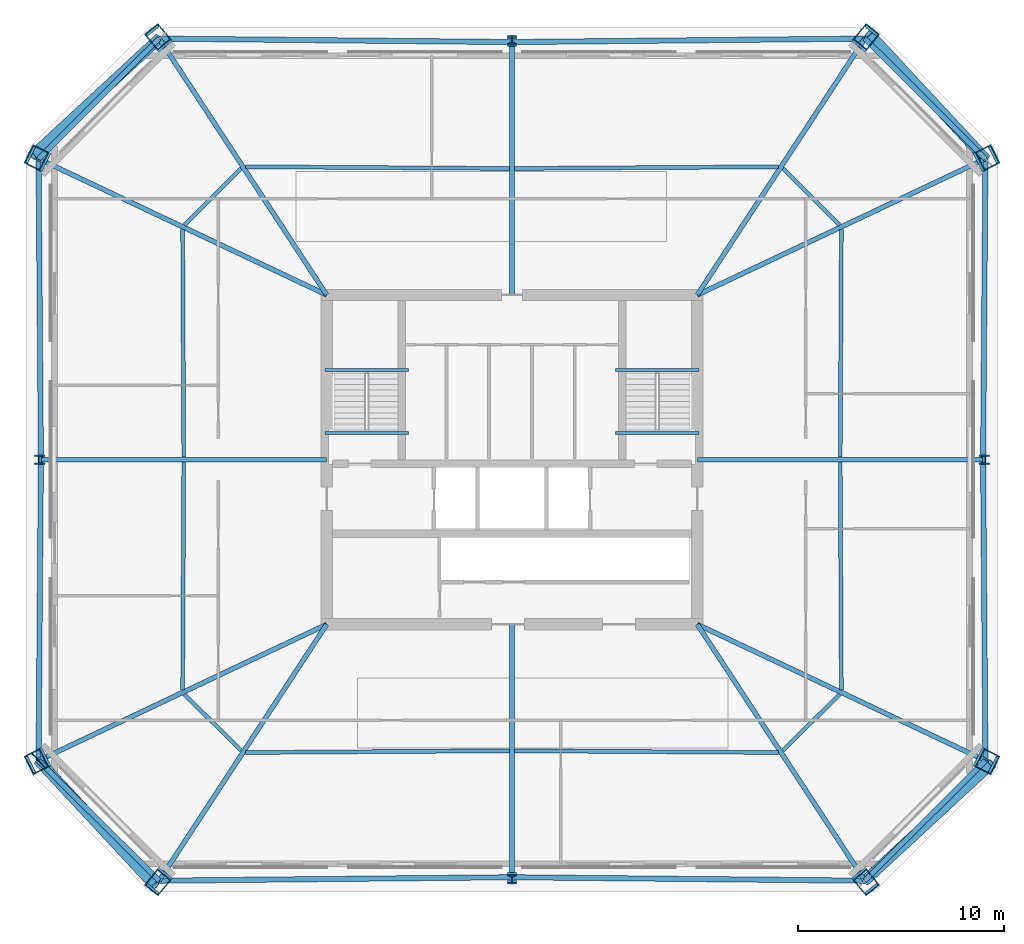
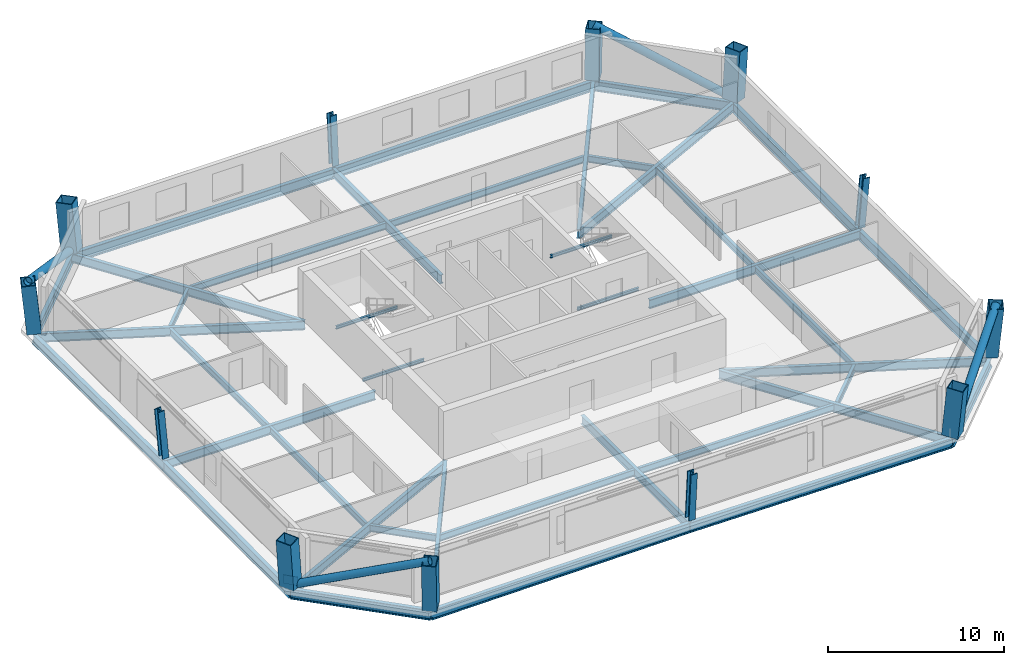
# One storey, part 1 of 7: 40 beams, 12 columns, 4 members, 1 plate.
"""IFC4 building model written with IfcOpenShell, lengths in metres."""

from ifc_helpers import new_model, si_unit, direction, frame, origin, origin_2d, place, context, subcontext, project, spatial, rectangle, hollow_rectangle, hollow_circle, i_section, extrude, material, layer, layer_set, material_profile, profile_set, type_object, element, save


model = new_model("IFC4")

# Units and contexts
model_context = context("Model", 3, precision=1e-05, world=origin(), true_north=direction((0.0, 1.0)))
body_context = subcontext(model_context, "Body", "Model", "MODEL_VIEW")
ifc_project = project(units=[si_unit("LENGTHUNIT", "METRE"), si_unit("AREAUNIT", "SQUARE_METRE"), si_unit("VOLUMEUNIT", "CUBIC_METRE"), si_unit("PLANEANGLEUNIT", "RADIAN"), si_unit("MASSUNIT", "GRAM", prefix="KILO")], contexts=[model_context])

# Site, building, storey
site_placement = place(None, origin())
site = spatial("IfcSite", under=ifc_project, at=site_placement, CompositionType="ELEMENT")
building_placement = place(site_placement, origin())
building = spatial("IfcBuilding", under=site, at=building_placement, Name="Caelvoria Tower", CompositionType="ELEMENT")
storey_placement = place(building_placement, frame((0.0, 0.0, 124.0)))
storey = spatial("IfcBuildingStorey", under=building, at=storey_placement, Name="L32", CompositionType="ELEMENT", Elevation=124.0)

# Columns
ifc_material_1 = material(Name="Structural Steel ASTM A572 Gr.50", Category="steel")
ifc_material_profile_1 = material_profile(ifc_material_1, hollow_rectangle(XDim=0.85009765625, YDim=1.0, WallThickness=0.050048828125, at=origin_2d()), Name="Structural Steel ASTM A572 Gr.50")
ifc_profile_set_1 = profile_set([ifc_material_profile_1], Name="BOX1000X850X50 - Structural Steel ASTM A572 Gr.50")
column_type_1 = type_object("IfcColumnType", Name="Mega Box Column 1000x850x50", PredefinedType="COLUMN", material=ifc_profile_set_1)
for number, where, z_axis, x_axis, name in (
    (1, (28.862548828125, 11.5517578125, 0.0), (-0.059349985837, -0.074042726233, 0.995487445362), (0.780273153145, -0.625438891084, 0.0), "Perimeter Megaframe Column L32-P00"),
    (2, (63.137451171875, 11.5517578125, 0.0), (0.059349985837, -0.074042726233, 0.995487445362), (0.780273153145, 0.625438891084, 0.0), "Perimeter Megaframe Column L32-P02"),
):
    element("IfcColumn", number, at=place(storey_placement, frame(where, z_axis=z_axis, x_axis=x_axis)), inside=storey, type_object=column_type_1, Name=name, PredefinedType="COLUMN", context=body_context, shape_type="SweptSolid", body=[
        extrude(hollow_rectangle(XDim=0.85009765625, YDim=1.0, WallThickness=0.050048828125, at=origin_2d()), origin(), (0.0, 0.0, 1.0), 3.373046875),
    ])
for number, where, z_axis, x_axis, name in (
    (3, (68.992431640625, 17.38623046875, 0.0), (0.088768956543, -0.044637690454, 0.995051530799), (-0.888984507302, 0.447028069279, 0.099360208609), "Perimeter Megaframe Column L32-P03"),
    (4, (68.992431640625, 46.61376953125, 0.0), (0.088768956543, 0.044637690454, 0.995051530799), (-0.888984507302, -0.447028069279, 0.099360208609), "Perimeter Megaframe Column L32-P05"),
):
    element("IfcColumn", number, at=place(storey_placement, frame(where, z_axis=z_axis, x_axis=x_axis)), inside=storey, type_object=column_type_1, Name=name, PredefinedType="COLUMN", context=body_context, shape_type="SweptSolid", body=[
        extrude(hollow_rectangle(XDim=0.85009765625, YDim=1.0, WallThickness=0.050048828125, at=origin_2d()), origin(), (0.0, 0.0, 1.0), 3.37451171875),
    ])
for number, where, z_axis, x_axis, name in (
    (5, (63.137451171875, 52.4482421875, 0.0), (0.059349985837, 0.074042726233, 0.995487445362), (-0.780273153145, 0.625438891084, 0.0), "Perimeter Megaframe Column L32-P06"),
    (6, (28.862548828125, 52.4482421875, 0.0), (-0.059349985837, 0.074042726233, 0.995487445362), (-0.780273153145, -0.625438891084, 0.0), "Perimeter Megaframe Column L32-P08"),
):
    element("IfcColumn", number, at=place(storey_placement, frame(where, z_axis=z_axis, x_axis=x_axis)), inside=storey, type_object=column_type_1, Name=name, PredefinedType="COLUMN", context=body_context, shape_type="SweptSolid", body=[
        extrude(hollow_rectangle(XDim=0.85009765625, YDim=1.0, WallThickness=0.050048828125, at=origin_2d()), origin(), (0.0, 0.0, 1.0), 3.373046875),
    ])
for number, where, z_axis, x_axis, name in (
    (7, (23.007568359375, 46.61376953125, 0.0), (-0.088768956543, 0.044637690454, 0.995051530799), (0.888984507302, -0.447028069279, 0.099360208609), "Perimeter Megaframe Column L32-P09"),
    (8, (23.007568359375, 17.38623046875, 0.0), (-0.088768956543, -0.044637690454, 0.995051530799), (0.888984507302, 0.447028069279, 0.099360208609), "Perimeter Megaframe Column L32-P11"),
):
    element("IfcColumn", number, at=place(storey_placement, frame(where, z_axis=z_axis, x_axis=x_axis)), inside=storey, type_object=column_type_1, Name=name, PredefinedType="COLUMN", context=body_context, shape_type="SweptSolid", body=[
        extrude(hollow_rectangle(XDim=0.85009765625, YDim=1.0, WallThickness=0.050048828125, at=origin_2d()), origin(), (0.0, 0.0, 1.0), 3.37451171875),
    ])
ifc_material_2 = material(Name="Structural Steel ASTM A913 Gr.65", Category="steel")
ifc_material_profile_2 = material_profile(ifc_material_2, i_section(OverallWidth=0.41796875, OverallDepth=0.455078125, WebThickness=0.0419921875, FlangeThickness=0.067626953125, FilletRadius=0.02490234375, at=origin_2d()), Name="Structural Steel ASTM A913 Gr.65")
ifc_profile_set_2 = profile_set([ifc_material_profile_2], Name="W360X551 - Structural Steel ASTM A913 Gr.65")
column_type_2 = type_object("IfcColumnType", Name="Mid Frame Column W360X551", PredefinedType="COLUMN", material=ifc_profile_set_2)
column_1_placement = place(storey_placement, frame((46.0, 11.719970703125, 0.0), z_axis=(0.0, -0.074245582927, 0.997239987874), x_axis=(1.0, 0.0, 0.0)))
element("IfcColumn", 9, at=column_1_placement, inside=storey, type_object=column_type_2, Name="Perimeter Megaframe Column L32-P01", PredefinedType="COLUMN", context=body_context, shape_type="SweptSolid", body=[
    extrude(i_section(OverallWidth=0.41796875, OverallDepth=0.455078125, WebThickness=0.0419921875, FlangeThickness=0.067626953125, FilletRadius=0.02490234375, at=origin_2d()), origin(), (0.0, 0.0, 1.0), 3.3671875),
])
column_2_placement = place(storey_placement, frame((68.8798828125, 32.0, 0.0), z_axis=(0.089001216718, 0.0, 0.996031517284), x_axis=(-0.996031517284, 0.0, 0.089001216718)))
element("IfcColumn", 10, at=column_2_placement, inside=storey, type_object=column_type_2, Name="Perimeter Megaframe Column L32-P04", PredefinedType="COLUMN", context=body_context, shape_type="SweptSolid", body=[
    extrude(i_section(OverallWidth=0.41796875, OverallDepth=0.455078125, WebThickness=0.0419921875, FlangeThickness=0.067626953125, FilletRadius=0.02490234375, at=origin_2d()), origin(), (0.0, 0.0, 1.0), 3.371337890625),
])
column_3_placement = place(storey_placement, frame((46.0, 52.280029296875, 0.0), z_axis=(0.0, 0.074245582927, 0.997239987874), x_axis=(-1.0, 0.0, 0.0)))
element("IfcColumn", 11, at=column_3_placement, inside=storey, type_object=column_type_2, Name="Perimeter Megaframe Column L32-P07", PredefinedType="COLUMN", context=body_context, shape_type="SweptSolid", body=[
    extrude(i_section(OverallWidth=0.41796875, OverallDepth=0.455078125, WebThickness=0.0419921875, FlangeThickness=0.067626953125, FilletRadius=0.02490234375, at=origin_2d()), origin(), (0.0, 0.0, 1.0), 3.3671875),
])
column_4_placement = place(storey_placement, frame((23.1201171875, 32.0, 0.0), z_axis=(-0.089001216718, 0.0, 0.996031517284), x_axis=(0.996031517284, 0.0, 0.089001216718)))
element("IfcColumn", 12, at=column_4_placement, inside=storey, type_object=column_type_2, Name="Perimeter Megaframe Column L32-P10", PredefinedType="COLUMN", context=body_context, shape_type="SweptSolid", body=[
    extrude(i_section(OverallWidth=0.41796875, OverallDepth=0.455078125, WebThickness=0.0419921875, FlangeThickness=0.067626953125, FilletRadius=0.02490234375, at=origin_2d()), origin(), (0.0, 0.0, 1.0), 3.371337890625),
])

# Beams
ifc_material_3 = material(Name="Structural Steel ASTM A992 Gr.50", Category="steel")
ifc_material_profile_3 = material_profile(ifc_material_3, i_section(OverallWidth=0.134033203125, OverallDepth=0.2099609375, WebThickness=0.00634765625, FlangeThickness=0.01025390625, FilletRadius=0.010009765625, at=origin_2d()), Name="Structural Steel ASTM A992 Gr.50")
ifc_profile_set_3 = profile_set([ifc_material_profile_3], Name="W200X31.3 - Structural Steel ASTM A992 Gr.50")
beam_type_1 = type_object("IfcBeamType", Name="Canopy Edge Trim Beam W200X31.3", PredefinedType="BEAM", material=ifc_profile_set_3)
for number, where, z_axis, x_axis, name in (
    (13, (36.929931640625, 36.35009765625, 1.4951171875), (1.0, 0.0, 0.0), (0.0, 1.0, 0.0), "ST-01 Half-Landing Support Beam L32"),
    (14, (36.929931640625, 33.300048828125, -0.304931640625), (1.0, 0.0, 0.0), (0.0, 1.0, 0.0), "ST-01 Floor-Landing Support Beam L32"),
    (15, (51.030029296875, 36.35009765625, 1.4951171875), (1.0, 0.0, 0.0), (0.0, 1.0, 0.0), "ST-02 Half-Landing Support Beam L32"),
    (16, (51.030029296875, 33.300048828125, -0.304931640625), (1.0, 0.0, 0.0), (0.0, 1.0, 0.0), "ST-02 Floor-Landing Support Beam L32"),
):
    element("IfcBeam", number, at=place(storey_placement, frame(where, z_axis=z_axis, x_axis=x_axis)), inside=storey, type_object=beam_type_1, Name=name, PredefinedType="BEAM", context=body_context, shape_type="SweptSolid", body=[
        extrude(i_section(OverallWidth=0.134033203125, OverallDepth=0.2099609375, WebThickness=0.00634765625, FlangeThickness=0.01025390625, FilletRadius=0.010009765625, at=origin_2d()), origin(), (0.0, 0.0, 1.0), 4.0400390625),
    ])

# Members
ifc_material_profile_4 = material_profile(ifc_material_1, hollow_circle(Radius=0.25390625, WallThickness=0.02001953125, at=origin_2d()), Name="Structural Steel ASTM A572 Gr.50")
ifc_profile_set_4 = profile_set([ifc_material_profile_4], Name="CHS508X20 - Structural Steel ASTM A572 Gr.50")
member_type = type_object("IfcMemberType", Name="Mid Perimeter Mega Brace CHS508X20", PredefinedType="BRACE", material=ifc_profile_set_4)
member_1_placement = place(storey_placement, frame((63.137451171875, 11.5517578125, 0.0), z_axis=(0.681842798926, 0.629695037558, 0.372256037194), x_axis=(-0.678455587302, 0.734641420054, 0.0)))
element("IfcMember", 17, at=member_1_placement, inside=storey, type_object=member_type, Name="Perimeter Chamfer Mega Brace L32 SE", PredefinedType="BRACE", context=body_context, shape_type="SweptSolid", body=[
    extrude(hollow_circle(Radius=0.25390625, WallThickness=0.02001953125, at=origin_2d()), origin(), (0.0, 0.0, 1.0), 9.0263671875),
])
member_2_placement = place(storey_placement, frame((68.992431640625, 46.61376953125, 0.0), z_axis=(-0.631102019177, 0.679030024174, 0.375004623519), x_axis=(-0.732484596075, -0.680783604762, 0.0)))
element("IfcMember", 18, at=member_2_placement, inside=storey, type_object=member_type, Name="Perimeter Chamfer Mega Brace L32 NE", PredefinedType="BRACE", context=body_context, shape_type="SweptSolid", body=[
    extrude(hollow_circle(Radius=0.25390625, WallThickness=0.02001953125, at=origin_2d()), origin(), (0.0, 0.0, 1.0), 8.960205078125),
])
member_3_placement = place(storey_placement, frame((28.862548828125, 52.4482421875, 0.0), z_axis=(-0.681842798926, -0.629695037558, 0.372256037194), x_axis=(0.678455587302, -0.734641420054, 0.0)))
element("IfcMember", 19, at=member_3_placement, inside=storey, type_object=member_type, Name="Perimeter Chamfer Mega Brace L32 NW", PredefinedType="BRACE", context=body_context, shape_type="SweptSolid", body=[
    extrude(hollow_circle(Radius=0.25390625, WallThickness=0.02001953125, at=origin_2d()), origin(), (0.0, 0.0, 1.0), 9.0263671875),
])
member_4_placement = place(storey_placement, frame((23.007568359375, 17.38623046875, 0.0), z_axis=(0.631102019177, -0.679030024174, 0.375004623519), x_axis=(0.732484596075, 0.680783604762, 0.0)))
element("IfcMember", 20, at=member_4_placement, inside=storey, type_object=member_type, Name="Perimeter Chamfer Mega Brace L32 SW", PredefinedType="BRACE", context=body_context, shape_type="SweptSolid", body=[
    extrude(hollow_circle(Radius=0.25390625, WallThickness=0.02001953125, at=origin_2d()), origin(), (0.0, 0.0, 1.0), 8.960205078125),
])

# Beams
ifc_material_profile_5 = material_profile(ifc_material_3, i_section(OverallWidth=0.25390625, OverallDepth=0.68798828125, WebThickness=0.01318359375, FlangeThickness=0.02099609375, FilletRadius=0.01904296875, at=origin_2d()), Name="Structural Steel ASTM A992 Gr.50")
ifc_profile_set_5 = profile_set([ifc_material_profile_5], Name="W690X152 - Structural Steel ASTM A992 Gr.50")
beam_type_2 = type_object("IfcBeamType", Name="Perimeter Spandrel Girder W690X152", PredefinedType="BEAM", material=ifc_profile_set_5)
for number, where, z_axis, x_axis, name in (
    (21, (28.862548828125, 11.5517578125, -0.583984375), (0.999951831324, 0.009815041125, 0.0), (-0.009815041125, 0.999951831324, 0.0), "Perimeter Spandrel Girder L32-00"),
    (22, (46.0, 11.719970703125, -0.583984375), (0.999951831324, -0.009815041125, 0.0), (0.009815041125, 0.999951831324, 0.0), "Perimeter Spandrel Girder L32-01"),
):
    element("IfcBeam", number, at=place(storey_placement, frame(where, z_axis=z_axis, x_axis=x_axis)), inside=storey, type_object=beam_type_2, Name=name, PredefinedType="BEAM", context=body_context, shape_type="SweptSolid", body=[
        extrude(i_section(OverallWidth=0.25390625, OverallDepth=0.68798828125, WebThickness=0.01318359375, FlangeThickness=0.02099609375, FilletRadius=0.01904296875, at=origin_2d()), origin(), (0.0, 0.0, 1.0), 17.13818359375),
    ])
beam_1_placement = place(storey_placement, frame((63.137451171875, 11.5517578125, -0.583984375), z_axis=(0.708346229301, 0.705865156694, 0.0), x_axis=(-0.705865156694, 0.708346229301, 0.0)))
element("IfcBeam", 23, at=beam_1_placement, inside=storey, type_object=beam_type_2, Name="Perimeter Spandrel Girder L32-02", PredefinedType="BEAM", context=body_context, shape_type="SweptSolid", body=[
    extrude(i_section(OverallWidth=0.25390625, OverallDepth=0.68798828125, WebThickness=0.01318359375, FlangeThickness=0.02099609375, FilletRadius=0.01904296875, at=origin_2d()), origin(), (0.0, 0.0, 1.0), 8.265625),
])
for number, where, z_axis, x_axis, name in (
    (24, (68.992431640625, 17.38623046875, -0.583984375), (-0.007701331964, 0.999970344303, 0.0), (-0.999970344303, -0.007701331964, 0.0), "Perimeter Spandrel Girder L32-03"),
    (25, (68.8798828125, 32.0, -0.583984375), (0.007701331964, 0.999970344303, 0.0), (-0.999970344303, 0.007701331964, 0.0), "Perimeter Spandrel Girder L32-04"),
):
    element("IfcBeam", number, at=place(storey_placement, frame(where, z_axis=z_axis, x_axis=x_axis)), inside=storey, type_object=beam_type_2, Name=name, PredefinedType="BEAM", context=body_context, shape_type="SweptSolid", body=[
        extrude(i_section(OverallWidth=0.25390625, OverallDepth=0.68798828125, WebThickness=0.01318359375, FlangeThickness=0.02099609375, FilletRadius=0.01904296875, at=origin_2d()), origin(), (0.0, 0.0, 1.0), 14.6142578125),
    ])
beam_2_placement = place(storey_placement, frame((68.992431640625, 46.61376953125, -0.583984375), z_axis=(-0.708346229301, 0.705865156694, 0.0), x_axis=(-0.705865156694, -0.708346229301, 0.0)))
element("IfcBeam", 26, at=beam_2_placement, inside=storey, type_object=beam_type_2, Name="Perimeter Spandrel Girder L32-05", PredefinedType="BEAM", context=body_context, shape_type="SweptSolid", body=[
    extrude(i_section(OverallWidth=0.25390625, OverallDepth=0.68798828125, WebThickness=0.01318359375, FlangeThickness=0.02099609375, FilletRadius=0.01904296875, at=origin_2d()), origin(), (0.0, 0.0, 1.0), 8.265625),
])
for number, where, z_axis, x_axis, name in (
    (27, (63.137451171875, 52.4482421875, -0.583984375), (-0.999951831324, -0.009815041125, 0.0), (0.009815041125, -0.999951831324, 0.0), "Perimeter Spandrel Girder L32-06"),
    (28, (46.0, 52.280029296875, -0.583984375), (-0.999951831324, 0.009815041125, 0.0), (-0.009815041125, -0.999951831324, 0.0), "Perimeter Spandrel Girder L32-07"),
):
    element("IfcBeam", number, at=place(storey_placement, frame(where, z_axis=z_axis, x_axis=x_axis)), inside=storey, type_object=beam_type_2, Name=name, PredefinedType="BEAM", context=body_context, shape_type="SweptSolid", body=[
        extrude(i_section(OverallWidth=0.25390625, OverallDepth=0.68798828125, WebThickness=0.01318359375, FlangeThickness=0.02099609375, FilletRadius=0.01904296875, at=origin_2d()), origin(), (0.0, 0.0, 1.0), 17.13818359375),
    ])
beam_3_placement = place(storey_placement, frame((28.862548828125, 52.4482421875, -0.583984375), z_axis=(-0.708346229301, -0.705865156694, 0.0), x_axis=(0.705865156694, -0.708346229301, 0.0)))
element("IfcBeam", 29, at=beam_3_placement, inside=storey, type_object=beam_type_2, Name="Perimeter Spandrel Girder L32-08", PredefinedType="BEAM", context=body_context, shape_type="SweptSolid", body=[
    extrude(i_section(OverallWidth=0.25390625, OverallDepth=0.68798828125, WebThickness=0.01318359375, FlangeThickness=0.02099609375, FilletRadius=0.01904296875, at=origin_2d()), origin(), (0.0, 0.0, 1.0), 8.265625),
])
for number, where, z_axis, x_axis, name in (
    (30, (23.007568359375, 46.61376953125, -0.583984375), (0.007701331964, -0.999970344303, 0.0), (0.999970344303, 0.007701331964, 0.0), "Perimeter Spandrel Girder L32-09"),
    (31, (23.1201171875, 32.0, -0.583984375), (-0.007701331964, -0.999970344303, 0.0), (0.999970344303, -0.007701331964, 0.0), "Perimeter Spandrel Girder L32-10"),
):
    element("IfcBeam", number, at=place(storey_placement, frame(where, z_axis=z_axis, x_axis=x_axis)), inside=storey, type_object=beam_type_2, Name=name, PredefinedType="BEAM", context=body_context, shape_type="SweptSolid", body=[
        extrude(i_section(OverallWidth=0.25390625, OverallDepth=0.68798828125, WebThickness=0.01318359375, FlangeThickness=0.02099609375, FilletRadius=0.01904296875, at=origin_2d()), origin(), (0.0, 0.0, 1.0), 14.6142578125),
    ])
beam_4_placement = place(storey_placement, frame((23.007568359375, 17.38623046875, -0.583984375), z_axis=(0.708346229301, -0.705865156694, 0.0), x_axis=(0.705865156694, 0.708346229301, 0.0)))
element("IfcBeam", 32, at=beam_4_placement, inside=storey, type_object=beam_type_2, Name="Perimeter Spandrel Girder L32-11", PredefinedType="BEAM", context=body_context, shape_type="SweptSolid", body=[
    extrude(i_section(OverallWidth=0.25390625, OverallDepth=0.68798828125, WebThickness=0.01318359375, FlangeThickness=0.02099609375, FilletRadius=0.01904296875, at=origin_2d()), origin(), (0.0, 0.0, 1.0), 8.265625),
])
ifc_material_profile_6 = material_profile(ifc_material_3, i_section(OverallWidth=0.22900390625, OverallDepth=0.612060546875, WebThickness=0.011962890625, FlangeThickness=0.01953125, FilletRadius=0.01806640625, at=origin_2d()), Name="Structural Steel ASTM A992 Gr.50")
ifc_profile_set_6 = profile_set([ifc_material_profile_6], Name="W610X125 - Structural Steel ASTM A992 Gr.50")
beam_type_3 = type_object("IfcBeamType", Name="Primary Radial Floor Girder W610X125", PredefinedType="BEAM", material=ifc_profile_set_6)
beam_5_placement = place(storey_placement, frame((37.0, 24.0, -0.5458984375), z_axis=(-0.547165323356, -0.837024556938, 0.0), x_axis=(0.837024556938, -0.547165323356, 0.0)))
element("IfcBeam", 33, at=beam_5_placement, inside=storey, type_object=beam_type_3, Name="Primary Floor Girder L32-00", PredefinedType="BEAM", context=body_context, shape_type="SweptSolid", body=[
    extrude(i_section(OverallWidth=0.22900390625, OverallDepth=0.612060546875, WebThickness=0.011962890625, FlangeThickness=0.01953125, FilletRadius=0.01806640625, at=origin_2d()), origin(), (0.0, 0.0, 1.0), 14.8720703125),
])
beam_6_placement = place(storey_placement, frame((46.0, 24.0, -0.5458984375), z_axis=(0.0, -1.0, 0.0), x_axis=(1.0, 0.0, 0.0)))
element("IfcBeam", 34, at=beam_6_placement, inside=storey, type_object=beam_type_3, Name="Primary Floor Girder L32-01", PredefinedType="BEAM", context=body_context, shape_type="SweptSolid", body=[
    extrude(i_section(OverallWidth=0.22900390625, OverallDepth=0.612060546875, WebThickness=0.011962890625, FlangeThickness=0.01953125, FilletRadius=0.01806640625, at=origin_2d()), origin(), (0.0, 0.0, 1.0), 12.280029296875),
])
beam_7_placement = place(storey_placement, frame((55.0, 24.0, -0.5458984375), z_axis=(0.547165323356, -0.837024556938, 0.0), x_axis=(0.837024556938, 0.547165323356, 0.0)))
element("IfcBeam", 35, at=beam_7_placement, inside=storey, type_object=beam_type_3, Name="Primary Floor Girder L32-02", PredefinedType="BEAM", context=body_context, shape_type="SweptSolid", body=[
    extrude(i_section(OverallWidth=0.22900390625, OverallDepth=0.612060546875, WebThickness=0.011962890625, FlangeThickness=0.01953125, FilletRadius=0.01806640625, at=origin_2d()), origin(), (0.0, 0.0, 1.0), 14.8720703125),
])
beam_8_placement = place(storey_placement, frame((55.0, 24.0, -0.5458984375), z_axis=(0.904093099405, -0.427335544517, 0.0), x_axis=(0.427335544517, 0.904093099405, 0.0)))
element("IfcBeam", 36, at=beam_8_placement, inside=storey, type_object=beam_type_3, Name="Primary Floor Girder L32-03", PredefinedType="BEAM", context=body_context, shape_type="SweptSolid", body=[
    extrude(i_section(OverallWidth=0.22900390625, OverallDepth=0.612060546875, WebThickness=0.011962890625, FlangeThickness=0.01953125, FilletRadius=0.01806640625, at=origin_2d()), origin(), (0.0, 0.0, 1.0), 15.476806640625),
])
beam_9_placement = place(storey_placement, frame((55.0, 32.0, -0.5458984375), z_axis=(1.0, 0.0, 0.0), x_axis=(0.0, 1.0, 0.0)))
element("IfcBeam", 37, at=beam_9_placement, inside=storey, type_object=beam_type_3, Name="Primary Floor Girder L32-04", PredefinedType="BEAM", context=body_context, shape_type="SweptSolid", body=[
    extrude(i_section(OverallWidth=0.22900390625, OverallDepth=0.612060546875, WebThickness=0.011962890625, FlangeThickness=0.01953125, FilletRadius=0.01806640625, at=origin_2d()), origin(), (0.0, 0.0, 1.0), 13.8798828125),
])
beam_10_placement = place(storey_placement, frame((55.0, 40.0, -0.5458984375), z_axis=(0.904093099405, 0.427335544517, 0.0), x_axis=(-0.427335544517, 0.904093099405, 0.0)))
element("IfcBeam", 38, at=beam_10_placement, inside=storey, type_object=beam_type_3, Name="Primary Floor Girder L32-05", PredefinedType="BEAM", context=body_context, shape_type="SweptSolid", body=[
    extrude(i_section(OverallWidth=0.22900390625, OverallDepth=0.612060546875, WebThickness=0.011962890625, FlangeThickness=0.01953125, FilletRadius=0.01806640625, at=origin_2d()), origin(), (0.0, 0.0, 1.0), 15.476806640625),
])
beam_11_placement = place(storey_placement, frame((55.0, 40.0, -0.5458984375), z_axis=(0.547165323356, 0.837024556938, 0.0), x_axis=(-0.837024556938, 0.547165323356, 0.0)))
element("IfcBeam", 39, at=beam_11_placement, inside=storey, type_object=beam_type_3, Name="Primary Floor Girder L32-06", PredefinedType="BEAM", context=body_context, shape_type="SweptSolid", body=[
    extrude(i_section(OverallWidth=0.22900390625, OverallDepth=0.612060546875, WebThickness=0.011962890625, FlangeThickness=0.01953125, FilletRadius=0.01806640625, at=origin_2d()), origin(), (0.0, 0.0, 1.0), 14.8720703125),
])
beam_12_placement = place(storey_placement, frame((46.0, 40.0, -0.5458984375), z_axis=(0.0, 1.0, 0.0), x_axis=(-1.0, 0.0, 0.0)))
element("IfcBeam", 40, at=beam_12_placement, inside=storey, type_object=beam_type_3, Name="Primary Floor Girder L32-07", PredefinedType="BEAM", context=body_context, shape_type="SweptSolid", body=[
    extrude(i_section(OverallWidth=0.22900390625, OverallDepth=0.612060546875, WebThickness=0.011962890625, FlangeThickness=0.01953125, FilletRadius=0.01806640625, at=origin_2d()), origin(), (0.0, 0.0, 1.0), 12.280029296875),
])
beam_13_placement = place(storey_placement, frame((37.0, 40.0, -0.5458984375), z_axis=(-0.547165323356, 0.837024556938, 0.0), x_axis=(-0.837024556938, -0.547165323356, 0.0)))
element("IfcBeam", 41, at=beam_13_placement, inside=storey, type_object=beam_type_3, Name="Primary Floor Girder L32-08", PredefinedType="BEAM", context=body_context, shape_type="SweptSolid", body=[
    extrude(i_section(OverallWidth=0.22900390625, OverallDepth=0.612060546875, WebThickness=0.011962890625, FlangeThickness=0.01953125, FilletRadius=0.01806640625, at=origin_2d()), origin(), (0.0, 0.0, 1.0), 14.8720703125),
])
beam_14_placement = place(storey_placement, frame((37.0, 40.0, -0.5458984375), z_axis=(-0.904093099405, 0.427335544517, 0.0), x_axis=(-0.427335544517, -0.904093099405, 0.0)))
element("IfcBeam", 42, at=beam_14_placement, inside=storey, type_object=beam_type_3, Name="Primary Floor Girder L32-09", PredefinedType="BEAM", context=body_context, shape_type="SweptSolid", body=[
    extrude(i_section(OverallWidth=0.22900390625, OverallDepth=0.612060546875, WebThickness=0.011962890625, FlangeThickness=0.01953125, FilletRadius=0.01806640625, at=origin_2d()), origin(), (0.0, 0.0, 1.0), 15.476806640625),
])
beam_15_placement = place(storey_placement, frame((37.0, 32.0, -0.5458984375), z_axis=(-1.0, 0.0, 0.0), x_axis=(0.0, -1.0, 0.0)))
element("IfcBeam", 43, at=beam_15_placement, inside=storey, type_object=beam_type_3, Name="Primary Floor Girder L32-10", PredefinedType="BEAM", context=body_context, shape_type="SweptSolid", body=[
    extrude(i_section(OverallWidth=0.22900390625, OverallDepth=0.612060546875, WebThickness=0.011962890625, FlangeThickness=0.01953125, FilletRadius=0.01806640625, at=origin_2d()), origin(), (0.0, 0.0, 1.0), 13.8798828125),
])
beam_16_placement = place(storey_placement, frame((37.0, 24.0, -0.5458984375), z_axis=(-0.904093099405, -0.427335544517, 0.0), x_axis=(0.427335544517, -0.904093099405, 0.0)))
element("IfcBeam", 44, at=beam_16_placement, inside=storey, type_object=beam_type_3, Name="Primary Floor Girder L32-11", PredefinedType="BEAM", context=body_context, shape_type="SweptSolid", body=[
    extrude(i_section(OverallWidth=0.22900390625, OverallDepth=0.612060546875, WebThickness=0.011962890625, FlangeThickness=0.01953125, FilletRadius=0.01806640625, at=origin_2d()), origin(), (0.0, 0.0, 1.0), 15.476806640625),
])
ifc_material_profile_7 = material_profile(ifc_material_3, i_section(OverallWidth=0.18994140625, OverallDepth=0.45703125, WebThickness=0.009033203125, FlangeThickness=0.014404296875, FilletRadius=0.014892578125, at=origin_2d()), Name="Structural Steel ASTM A992 Gr.50")
ifc_profile_set_7 = profile_set([ifc_material_profile_7], Name="W460X74 - Structural Steel ASTM A992 Gr.50")
beam_type_4 = type_object("IfcBeamType", Name="Secondary Floor Beam W460X74", PredefinedType="BEAM", material=ifc_profile_set_7)
for number, where, z_axis, x_axis, name in (
    (45, (33.05615234375, 17.776611328125, -0.468505859375), (0.999979280845, 0.006437226163, 0.0), (-0.006437226163, 0.999979280845, 0.0), "Secondary Floor Beam L32-00"),
    (46, (46.125, 17.859130859375, -0.468505859375), (0.999979280845, -0.006437226163, 0.0), (0.006437226163, 0.999979280845, 0.0), "Secondary Floor Beam L32-01"),
):
    element("IfcBeam", number, at=place(storey_placement, frame(where, z_axis=z_axis, x_axis=x_axis)), inside=storey, type_object=beam_type_4, Name=name, PredefinedType="BEAM", context=body_context, shape_type="SweptSolid", body=[
        extrude(i_section(OverallWidth=0.18994140625, OverallDepth=0.45703125, WebThickness=0.009033203125, FlangeThickness=0.014404296875, FilletRadius=0.014892578125, at=origin_2d()), origin(), (0.0, 0.0, 1.0), 12.819091796875),
    ])
beam_17_placement = place(storey_placement, frame((59.1572265625, 17.864013671875, -0.468505859375), z_axis=(0.70833174964, 0.705879686952, 0.0), x_axis=(-0.705879686952, 0.70833174964, 0.0)))
element("IfcBeam", 47, at=beam_17_placement, inside=storey, type_object=beam_type_4, Name="Secondary Floor Beam L32-02", PredefinedType="BEAM", context=body_context, shape_type="SweptSolid", body=[
    extrude(i_section(OverallWidth=0.18994140625, OverallDepth=0.45703125, WebThickness=0.009033203125, FlangeThickness=0.014404296875, FilletRadius=0.014892578125, at=origin_2d()), origin(), (0.0, 0.0, 1.0), 3.883056640625),
])
for number, where, z_axis, x_axis, name in (
    (48, (61.99560546875, 20.818115234375, -0.468505859375), (-0.004968032488, 0.99998765925, 0.0), (-0.99998765925, -0.004968032488, 0.0), "Secondary Floor Beam L32-03"),
    (49, (61.940673828125, 32.125, -0.468505859375), (0.004968032488, 0.99998765925, 0.0), (-0.99998765925, 0.004968032488, 0.0), "Secondary Floor Beam L32-04"),
):
    element("IfcBeam", number, at=place(storey_placement, frame(where, z_axis=z_axis, x_axis=x_axis)), inside=storey, type_object=beam_type_4, Name=name, PredefinedType="BEAM", context=body_context, shape_type="SweptSolid", body=[
        extrude(i_section(OverallWidth=0.18994140625, OverallDepth=0.45703125, WebThickness=0.009033203125, FlangeThickness=0.014404296875, FilletRadius=0.014892578125, at=origin_2d()), origin(), (0.0, 0.0, 1.0), 11.05712890625),
    ])
beam_18_placement = place(storey_placement, frame((61.90771484375, 43.39501953125, -0.468505859375), z_axis=(-0.70833174964, 0.705879686952, 0.0), x_axis=(-0.705879686952, -0.70833174964, 0.0)))
element("IfcBeam", 50, at=beam_18_placement, inside=storey, type_object=beam_type_4, Name="Secondary Floor Beam L32-05", PredefinedType="BEAM", context=body_context, shape_type="SweptSolid", body=[
    extrude(i_section(OverallWidth=0.18994140625, OverallDepth=0.45703125, WebThickness=0.009033203125, FlangeThickness=0.014404296875, FilletRadius=0.014892578125, at=origin_2d()), origin(), (0.0, 0.0, 1.0), 3.883056640625),
])
for number, where, z_axis, x_axis, name in (
    (51, (58.94384765625, 46.223388671875, -0.468505859375), (-0.999979280845, -0.006437226163, 0.0), (0.006437226163, -0.999979280845, 0.0), "Secondary Floor Beam L32-06"),
    (52, (45.875, 46.140869140625, -0.468505859375), (-0.999979280845, 0.006437226163, 0.0), (-0.006437226163, -0.999979280845, 0.0), "Secondary Floor Beam L32-07"),
):
    element("IfcBeam", number, at=place(storey_placement, frame(where, z_axis=z_axis, x_axis=x_axis)), inside=storey, type_object=beam_type_4, Name=name, PredefinedType="BEAM", context=body_context, shape_type="SweptSolid", body=[
        extrude(i_section(OverallWidth=0.18994140625, OverallDepth=0.45703125, WebThickness=0.009033203125, FlangeThickness=0.014404296875, FilletRadius=0.014892578125, at=origin_2d()), origin(), (0.0, 0.0, 1.0), 12.819091796875),
    ])
beam_19_placement = place(storey_placement, frame((32.8427734375, 46.135986328125, -0.468505859375), z_axis=(-0.70833174964, -0.705879686952, 0.0), x_axis=(0.705879686952, -0.70833174964, 0.0)))
element("IfcBeam", 53, at=beam_19_placement, inside=storey, type_object=beam_type_4, Name="Secondary Floor Beam L32-08", PredefinedType="BEAM", context=body_context, shape_type="SweptSolid", body=[
    extrude(i_section(OverallWidth=0.18994140625, OverallDepth=0.45703125, WebThickness=0.009033203125, FlangeThickness=0.014404296875, FilletRadius=0.014892578125, at=origin_2d()), origin(), (0.0, 0.0, 1.0), 3.883056640625),
])
for number, where, z_axis, x_axis, name in (
    (54, (30.00439453125, 43.181884765625, -0.468505859375), (0.004968032488, -0.99998765925, 0.0), (0.99998765925, 0.004968032488, 0.0), "Secondary Floor Beam L32-09"),
    (55, (30.059326171875, 31.875, -0.468505859375), (-0.004968032488, -0.99998765925, 0.0), (0.99998765925, -0.004968032488, 0.0), "Secondary Floor Beam L32-10"),
):
    element("IfcBeam", number, at=place(storey_placement, frame(where, z_axis=z_axis, x_axis=x_axis)), inside=storey, type_object=beam_type_4, Name=name, PredefinedType="BEAM", context=body_context, shape_type="SweptSolid", body=[
        extrude(i_section(OverallWidth=0.18994140625, OverallDepth=0.45703125, WebThickness=0.009033203125, FlangeThickness=0.014404296875, FilletRadius=0.014892578125, at=origin_2d()), origin(), (0.0, 0.0, 1.0), 11.05712890625),
    ])
beam_20_placement = place(storey_placement, frame((30.09228515625, 20.60498046875, -0.468505859375), z_axis=(0.70833174964, -0.705879686952, 0.0), x_axis=(0.705879686952, 0.70833174964, 0.0)))
element("IfcBeam", 56, at=beam_20_placement, inside=storey, type_object=beam_type_4, Name="Secondary Floor Beam L32-11", PredefinedType="BEAM", context=body_context, shape_type="SweptSolid", body=[
    extrude(i_section(OverallWidth=0.18994140625, OverallDepth=0.45703125, WebThickness=0.009033203125, FlangeThickness=0.014404296875, FilletRadius=0.014892578125, at=origin_2d()), origin(), (0.0, 0.0, 1.0), 3.883056640625),
])

# Plate
ifc_layer = layer(ifc_material_1, 0.0400390625, Name="Structural Steel ASTM A572 Gr.50")
ifc_layer_set = layer_set([ifc_layer], Name="Megaframe Node Gusset Plate 900x600x40 - Structural Steel ASTM A572 Gr.50")
plate_type = type_object("IfcPlateType", Name="Megaframe Node Gusset Plate 900x600x40", PredefinedType="USERDEFINED", material=ifc_layer_set)
plate_placement = place(storey_placement, frame((23.007568359375, 17.38623046875, 0.02001953125), z_axis=(0.0, 0.0, 1.0), x_axis=(0.680773286887, -0.732494185548, 0.0)))
element("IfcPlate", 57, at=plate_placement, inside=storey, type_object=plate_type, Name="Chamfer Mega Brace Gusset L32 SW", ObjectType="GUSSET_PLATE", PredefinedType="USERDEFINED", context=body_context, shape_type="SweptSolid", body=[
    extrude(rectangle(XDim=0.89990234375, YDim=0.0400390625, at=origin_2d()), origin(), (0.0, 0.0, 1.0), 0.60009765625),
])

save(model, "model.ifc")
